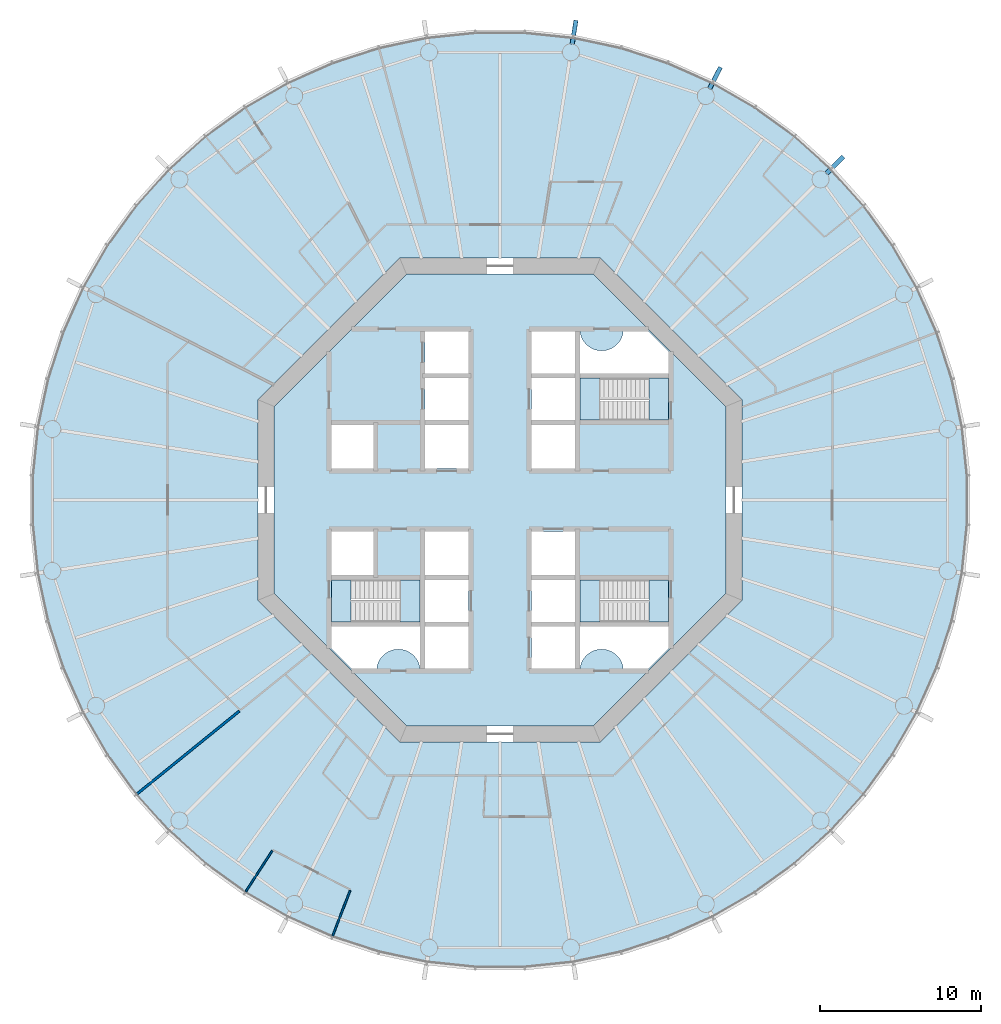
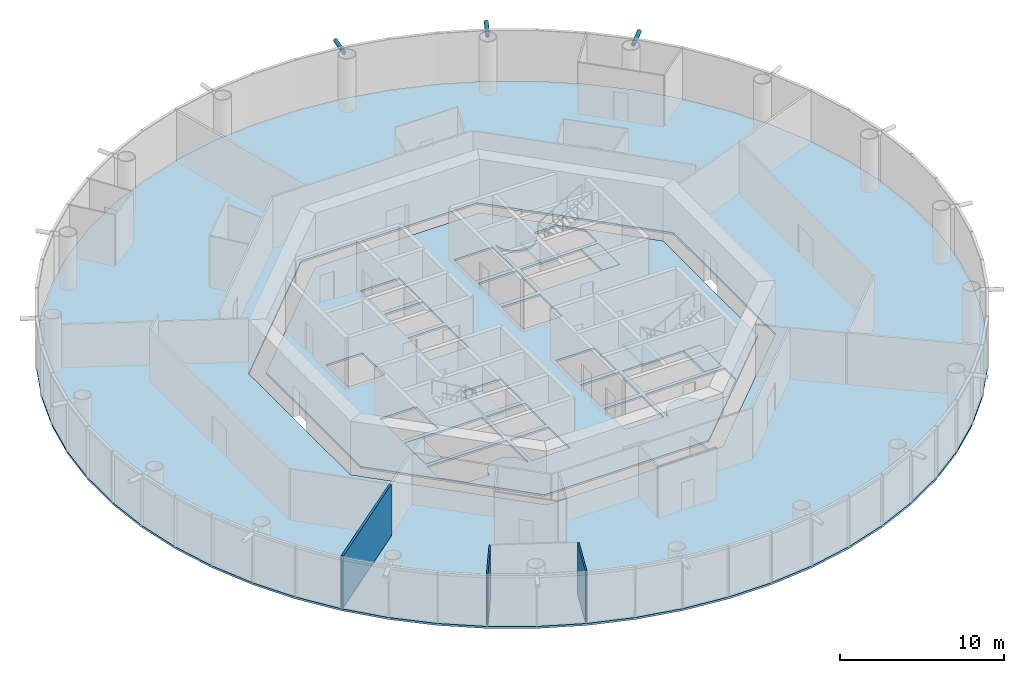
# One storey, part 2 of 12: 8 slabs, 3 members, 3 walls, 3 elements without a shape of their own.
"""IFC4 building model written with IfcOpenShell, lengths in metres."""

import ifcopenshell
import ifcopenshell.guid

model = None  # the IFC model being written
_history = None  # IfcOwnerHistory: only IFC2X3 demands one
_inside = {}  # id of a spatial element -> (the spatial element, [elements in it])
_under = {}  # id of a project, library or spatial element -> (it, [spatial elements below it])
_declared = {}  # id of a project -> (the project, [libraries it declares])
_typed = {}  # id of a type object -> (the type object, [elements of that type])
_made_of = {}  # id of a material, layer set ... -> (it, [elements and type objects made of it])


def new_model(schema):
    """Start an empty IFC model of exactly this schema.

    Asked for "IFC4X3", IfcOpenShell would pick the latest addendum, in which some entities
    have other attributes; the version numbers below select the first issue.
    IFC2X3 requires an IfcOwnerHistory on every rooted entity: one is made here for all.
    """
    global model, _history
    if schema == "IFC4X3":
        model = ifcopenshell.file(schema_version=(4, 3, 0, 0))
    else:
        model = ifcopenshell.file(schema=schema)
    _inside.clear()
    _under.clear()
    _declared.clear()
    _typed.clear()
    _made_of.clear()
    _history = None
    if model.schema == "IFC2X3":
        org = make("IfcOrganization", Name="unknown")
        user = make(
            "IfcPersonAndOrganization",
            ThePerson=make("IfcPerson", FamilyName="unknown"),
            TheOrganization=org,
        )
        app = make(
            "IfcApplication",
            ApplicationDeveloper=org,
            Version="unknown",
            ApplicationFullName="unknown",
            ApplicationIdentifier="unknown",
        )
        _history = make(
            "IfcOwnerHistory",
            OwningUser=user,
            OwningApplication=app,
            ChangeAction="ADDED",
            CreationDate=0,
        )
    return model


def make(cls, **values):
    """One entity of the class cls with the attributes given. An attribute that is None is left unset."""
    return model.create_entity(
        cls, **{name: value for name, value in values.items() if value is not None}
    )


def rooted(cls, **values):
    """An entity with a GlobalId (a new one), such as an element, a storey or a relation."""
    return make(cls, GlobalId=ifcopenshell.guid.new(), OwnerHistory=_history, **values)


def si_unit(unit_type, name, prefix=None):
    """IfcSIUnit, for example si_unit("LENGTHUNIT", "METRE", prefix="MILLI")."""
    return make("IfcSIUnit", UnitType=unit_type, Prefix=prefix, Name=name)


def assignment(units):
    """IfcUnitAssignment: the units of a project."""
    return None if units is None else make("IfcUnitAssignment", Units=units)


def point(xyz):
    """IfcCartesianPoint."""
    return None if xyz is None else make("IfcCartesianPoint", Coordinates=xyz)


def direction(xyz):
    """IfcDirection."""
    return None if xyz is None else make("IfcDirection", DirectionRatios=xyz)


def frame(location, z_axis=None, x_axis=None):
    """IfcAxis2Placement3D, a coordinate frame: its origin and axes. An axis left out is left unset."""
    return make(
        "IfcAxis2Placement3D",
        Location=point(location),
        Axis=direction(z_axis),
        RefDirection=direction(x_axis),
    )


def frame_2d(location, x_axis=None):
    """IfcAxis2Placement2D, a coordinate frame in the plane: its origin and x axis."""
    return make(
        "IfcAxis2Placement2D", Location=point(location), RefDirection=direction(x_axis)
    )


def origin():
    """The frame at (0, 0, 0) with its axes left unset."""
    return frame((0.0, 0.0, 0.0))


def origin_2d():
    """The frame at (0, 0) in the plane with its x axis left unset."""
    return frame_2d((0.0, 0.0))


def place(relative_to, where):
    """IfcLocalPlacement: puts the frame where relative to a parent placement (None: the world)."""
    return make(
        "IfcLocalPlacement", PlacementRelTo=relative_to, RelativePlacement=where
    )


def context(
    kind, dimensions, precision=None, world=None, true_north=None, identifier=None
):
    """IfcGeometricRepresentationContext, for example the 3D "Model" context."""
    return make(
        "IfcGeometricRepresentationContext",
        ContextIdentifier=identifier,
        ContextType=kind,
        CoordinateSpaceDimension=dimensions,
        Precision=precision,
        WorldCoordinateSystem=world,
        TrueNorth=true_north,
    )


def subcontext(parent, identifier, kind, view, scale=None):
    """IfcGeometricRepresentationSubContext, for example "Body" below "Model"."""
    return make(
        "IfcGeometricRepresentationSubContext",
        ContextIdentifier=identifier,
        ContextType=kind,
        ParentContext=parent,
        TargetScale=scale,
        TargetView=view,
    )


def project(units=None, contexts=None):
    """IfcProject with its units and contexts."""
    return rooted(
        "IfcProject",
        Name="project",
        RepresentationContexts=contexts,
        UnitsInContext=assignment(units),
    )


def spatial(cls, under=None, at=None, **own):
    """A site, building, storey or space (cls), placed at a placement, below another one or the project."""
    s = rooted(cls, ObjectPlacement=at, **own)
    if under is not None:
        _under.setdefault(under.id(), (under, []))[1].append(s)
    return s


def polyline(points):
    """IfcPolyline through the points."""
    return make("IfcPolyline", Points=[point(p) for p in points])


def profile(cls, at=None, kind="AREA", **sizes):
    """A parametric profile (cls). Its sizes go by their IFC names, for example OverallWidth=200.0."""
    return make(cls, ProfileType=kind, Position=at, **sizes)


def rectangle(**sizes):
    """IfcRectangleProfileDef."""
    return profile("IfcRectangleProfileDef", **sizes)


def circle(**sizes):
    """IfcCircleProfileDef."""
    return profile("IfcCircleProfileDef", **sizes)


def hollow_circle(**sizes):
    """IfcCircleHollowProfileDef."""
    return profile("IfcCircleHollowProfileDef", **sizes)


def outline(outer, holes=None, kind="AREA"):
    """IfcArbitraryClosedProfileDef: a profile drawn as a closed curve; with holes, ...WithVoids."""
    if holes is None:
        return make("IfcArbitraryClosedProfileDef", ProfileType=kind, OuterCurve=outer)
    return make(
        "IfcArbitraryProfileDefWithVoids",
        ProfileType=kind,
        OuterCurve=outer,
        InnerCurves=holes,
    )


def extrude(swept, where, along, depth):
    """IfcExtrudedAreaSolid: the profile swept, set in the frame where, extruded along a direction by depth."""
    return make(
        "IfcExtrudedAreaSolid",
        SweptArea=swept,
        Position=where,
        ExtrudedDirection=direction(along),
        Depth=depth,
    )


def shape(context_of_items, identifier, shape_type, items):
    """IfcShapeRepresentation: the items that make up one representation, for example the "Body"."""
    return make(
        "IfcShapeRepresentation",
        ContextOfItems=context_of_items,
        RepresentationIdentifier=identifier,
        RepresentationType=shape_type,
        Items=items,
    )


def material(Name=None, Category=None):
    """IfcMaterial."""
    return make("IfcMaterial", Name=Name, Category=Category)


def layer(
    of_material, thickness, ventilated=None, Name=None, Category=None, Priority=None
):
    """IfcMaterialLayer: one layer of a wall or slab, of a material (None: an air gap)."""
    return make(
        "IfcMaterialLayer",
        Material=of_material,
        LayerThickness=thickness,
        IsVentilated=ventilated,
        Name=Name,
        Category=Category,
        Priority=Priority,
    )


def layer_set(layers, Name=None):
    """IfcMaterialLayerSet."""
    return make("IfcMaterialLayerSet", MaterialLayers=layers, LayerSetName=Name)


def material_profile(
    of_material, cross_section, Name=None, Category=None, Priority=None
):
    """IfcMaterialProfile: a cross section and its material."""
    return make(
        "IfcMaterialProfile",
        Name=Name,
        Material=of_material,
        Profile=cross_section,
        Priority=Priority,
        Category=Category,
    )


def profile_set(profiles, Name=None, composite=None):
    """IfcMaterialProfileSet."""
    return make(
        "IfcMaterialProfileSet",
        Name=Name,
        MaterialProfiles=profiles,
        CompositeProfile=composite,
    )


def made_of(thing, what):
    """Note that an element or type object is made of a material, layer set ...; save() writes the relation."""
    if what is not None:
        _made_of.setdefault(what.id(), (what, []))[1].append(thing)
    return thing


def type_object(cls, material=None, **own):
    """A type object (cls), such as IfcWallType, which elements share."""
    return made_of(rooted(cls, **own), material)


def element(
    cls,
    number,
    at=None,
    inside=None,
    cuts=None,
    type_object=None,
    material=None,
    context=None,
    identifier="Body",
    shape_type=None,
    held_by="IfcProductDefinitionShape",
    body=None,
    shapes=None,
    **own,
):
    """One element of the class cls, such as IfcWall. Its Tag is "e" and its number.

    at: its placement. inside: the storey or other place that contains it. cuts: it is an
    opening in that element (IfcRelVoidsElement). A single representation is given by context,
    identifier, shape_type and body (its items); several are given by shapes. held_by: the class
    of the entity that holds the representations. save() writes the other relations.
    """
    e = rooted(cls, Tag="e%d" % number, ObjectPlacement=at, **own)
    if body is not None:
        shapes = [shape(context, identifier, shape_type, body)]
    if shapes is not None:
        e.Representation = make(held_by, Representations=shapes)
    if inside is not None:
        _inside.setdefault(inside.id(), (inside, []))[1].append(e)
    if cuts is not None:
        rooted(
            "IfcRelVoidsElement", RelatingBuildingElement=cuts, RelatedOpeningElement=e
        )
    if type_object is not None:
        _typed.setdefault(type_object.id(), (type_object, []))[1].append(e)
    return made_of(e, material)


def aggregate(whole, parts):
    """IfcRelAggregates: a whole, such as a stair, and the parts it consists of."""
    return rooted("IfcRelAggregates", RelatingObject=whole, RelatedObjects=parts)


def save(model, path):
    """Write the relations noted so far, then the file.

    IfcRelAggregates (storeys below a building ...), IfcRelContainedInSpatialStructure (elements
    in a storey), IfcRelDefinesByType, IfcRelAssociatesMaterial and IfcRelDeclares: one each for
    every whole, place, type object, material and project.
    """
    for whole, parts in _under.values():
        aggregate(whole, parts)
    for where, things in _inside.values():
        rooted(
            "IfcRelContainedInSpatialStructure",
            RelatedElements=things,
            RelatingStructure=where,
        )
    for kind, things in _typed.values():
        rooted("IfcRelDefinesByType", RelatedObjects=things, RelatingType=kind)
    for what, things in _made_of.values():
        rooted("IfcRelAssociatesMaterial", RelatedObjects=things, RelatingMaterial=what)
    for by, libraries in _declared.values():
        rooted("IfcRelDeclares", RelatingContext=by, RelatedDefinitions=libraries)
    model.write(path)


model = new_model("IFC4")

# Units and contexts
model_context = context("Model", 3, precision=1e-05, world=origin(), true_north=direction((0.0, 1.0)))
body_context = subcontext(model_context, "Body", "Model", "MODEL_VIEW")
ifc_project = project(units=[si_unit("LENGTHUNIT", "METRE"), si_unit("AREAUNIT", "SQUARE_METRE"), si_unit("VOLUMEUNIT", "CUBIC_METRE"), si_unit("PLANEANGLEUNIT", "RADIAN"), si_unit("MASSUNIT", "GRAM", prefix="KILO")], contexts=[model_context])

# Site, building, storey
site_placement = place(None, origin())
site = spatial("IfcSite", under=ifc_project, at=site_placement, CompositionType="ELEMENT")
building_placement = place(site_placement, origin())
building = spatial("IfcBuilding", under=site, at=building_placement, Name="Entoto Ring Tower", CompositionType="ELEMENT")
storey_placement = place(building_placement, frame((0.0, 0.0, 196.0)))
storey = spatial("IfcBuildingStorey", under=building, at=storey_placement, Name="L45", CompositionType="ELEMENT", Elevation=196.0)

# Members
ifc_material_1 = material(Name="Steel S355", Category="steel")
ifc_material_profile_1 = material_profile(ifc_material_1, hollow_circle(Radius=0.136474609375, WallThickness=0.012451171875, at=origin_2d()), Name="CHS 273 x 12.5")
ifc_material_2 = material(Name="Concrete C60/75", Category="concrete")
ifc_material_profile_2 = material_profile(ifc_material_2, circle(Radius=0.1240234375, at=origin_2d()), Name="Concrete C60/75 infill")
ifc_profile_set = profile_set([ifc_material_profile_1, ifc_material_profile_2], Name="Steel S355")
member_type = type_object("IfcMemberType", Name="Diagrid node strut 273 x 12.5", PredefinedType="STRUT", material=ifc_profile_set)
for number, where, z_axis, x_axis, name in (
    (1, (110.232177734375, 100.232177734375, 3.71337890625), (0.707106781187, 0.707106781187, 0.0), (-0.707106781187, 0.707106781187, 0.0), "DS2 strut ring 13 02"),
    (2, (102.989990234375, 105.494140625, 3.71337890625), (0.453898730756, 0.891053276869, 0.0), (-0.891053276869, 0.453898730756, 0.0), "DS2 strut ring 13 03"),
    (3, (94.47607421875, 108.260498046875, 3.71337890625), (0.15643459676, 0.987688319733, 0.0), (-0.987688319733, 0.15643459676, 0.0), "DS2 strut ring 13 04"),
):
    element("IfcMember", number, at=place(storey_placement, frame(where, z_axis=z_axis, x_axis=x_axis)), inside=storey, type_object=member_type, Name=name, PredefinedType="STRUT", context=body_context, shape_type="SweptSolid", body=[
        extrude(hollow_circle(Radius=0.136474609375, WallThickness=0.012451171875, at=origin_2d()), origin(), (0.0, 0.0, 1.0), 1.4873046875),
    ])

# Slabs
ifc_material_3 = material(Name="Concrete C30/37", Category="concrete")
ifc_layer_1 = layer(ifc_material_3, 0.14990234375)
ifc_layer_set_1 = layer_set([ifc_layer_1], Name="Concrete C30/37")
slab_type_1 = type_object("IfcSlabType", Name="Composite floor slab 150 mm", PredefinedType="FLOOR", material=ifc_layer_set_1)
slab_1_placement = place(storey_placement, frame((0.0, 0.0, -0.14990234375)))
element("IfcSlab", 4, at=slab_1_placement, inside=storey, type_object=slab_type_1, Name="Floor slab L45", PredefinedType="FLOOR", context=body_context, shape_type="SweptSolid", body=[
    extrude(outline(polyline([(118.74169921875, 84.55224609375), (118.1083984375, 87.53173828125), (117.167236328125, 90.428466796875), (115.92822265625, 93.211181640625), (114.4052734375, 95.848876953125), (112.614990234375, 98.313232421875), (110.576904296875, 100.576904296875), (108.313232421875, 102.614990234375), (105.848876953125, 104.4052734375), (103.211181640625, 105.92822265625), (100.428466796875, 107.167236328125), (97.53173828125, 108.1083984375), (94.55224609375, 108.74169921875), (91.52294921875, 109.06005859375), (88.47705078125, 109.06005859375), (85.44775390625, 108.74169921875), (82.46826171875, 108.1083984375), (79.571533203125, 107.167236328125), (76.788818359375, 105.92822265625), (74.151123046875, 104.4052734375), (71.686767578125, 102.614990234375), (69.423095703125, 100.576904296875), (67.385009765625, 98.313232421875), (65.5947265625, 95.848876953125), (64.07177734375, 93.211181640625), (62.832763671875, 90.428466796875), (61.8916015625, 87.53173828125), (61.25830078125, 84.55224609375), (60.93994140625, 81.52294921875), (60.93994140625, 78.47705078125), (61.25830078125, 75.44775390625), (61.8916015625, 72.46826171875), (62.832763671875, 69.571533203125), (64.07177734375, 66.788818359375), (65.5947265625, 64.151123046875), (67.385009765625, 61.686767578125), (69.423095703125, 59.423095703125), (71.686767578125, 57.385009765625), (74.151123046875, 55.5947265625), (76.788818359375, 54.07177734375), (79.571533203125, 52.832763671875), (82.46826171875, 51.8916015625), (85.44775390625, 51.25830078125), (88.47705078125, 50.93994140625), (91.52294921875, 50.93994140625), (94.55224609375, 51.25830078125), (97.53173828125, 51.8916015625), (100.428466796875, 52.832763671875), (103.211181640625, 54.07177734375), (105.848876953125, 55.5947265625), (108.313232421875, 57.385009765625), (110.576904296875, 59.423095703125), (112.614990234375, 61.686767578125), (114.4052734375, 64.151123046875), (115.92822265625, 66.788818359375), (117.167236328125, 69.571533203125), (118.1083984375, 72.46826171875), (118.74169921875, 75.44775390625), (119.06005859375, 78.47705078125), (119.06005859375, 81.52294921875), (118.74169921875, 84.55224609375)]), holes=[polyline([(105.0, 73.786865234375), (105.0, 86.213134765625), (96.213134765625, 95.0), (83.786865234375, 95.0), (75.0, 86.213134765625), (75.0, 73.786865234375), (83.786865234375, 65.0), (96.213134765625, 65.0), (105.0, 73.786865234375)])]), origin(), (0.0, 0.0, 1.0), 0.14990234375),
])
ifc_material_4 = material(Name="Concrete C40/50", Category="concrete")
ifc_layer_2 = layer(ifc_material_4, 0.14990234375)
ifc_layer_set_2 = layer_set([ifc_layer_2], Name="Concrete C40/50")
slab_type_2 = type_object("IfcSlabType", Name="Core floor slab 150 mm reinforced concrete C40/50", PredefinedType="FLOOR", material=ifc_layer_set_2)
slab_2_placement = place(storey_placement, frame((0.0, 0.0, -0.14990234375)))
element("IfcSlab", 5, at=slab_2_placement, inside=storey, type_object=slab_type_2, Name="Core floor L45", PredefinedType="FLOOR", context=body_context, shape_type="SweptSolid", body=[
    extrude(outline(polyline([(104.0, 74.200927734375), (104.0, 85.799072265625), (95.799072265625, 94.0), (84.200927734375, 94.0), (76.0, 85.799072265625), (76.0, 74.200927734375), (84.200927734375, 66.0), (95.799072265625, 66.0), (104.0, 74.200927734375)]), holes=[polyline([(100.449951171875, 84.949951171875), (100.449951171875, 87.550048828125), (94.949951171875, 87.550048828125), (94.949951171875, 84.949951171875), (100.449951171875, 84.949951171875)]), polyline([(85.050048828125, 72.449951171875), (85.050048828125, 75.050048828125), (79.550048828125, 75.050048828125), (79.550048828125, 72.449951171875), (85.050048828125, 72.449951171875)]), polyline([(100.449951171875, 72.449951171875), (100.449951171875, 75.050048828125), (94.949951171875, 75.050048828125), (94.949951171875, 72.449951171875), (100.449951171875, 72.449951171875)]), polyline([(91.949951171875, 84.949951171875), (94.64990234375, 84.949951171875), (94.64990234375, 87.550048828125), (91.949951171875, 87.550048828125), (91.949951171875, 84.949951171875)]), polyline([(91.949951171875, 72.449951171875), (94.64990234375, 72.449951171875), (94.64990234375, 75.050048828125), (91.949951171875, 75.050048828125), (91.949951171875, 72.449951171875)]), polyline([(91.949951171875, 69.550048828125), (94.64990234375, 69.550048828125), (94.64990234375, 72.14990234375), (91.949951171875, 72.14990234375), (91.949951171875, 69.550048828125)]), polyline([(85.35009765625, 72.449951171875), (88.050048828125, 72.449951171875), (88.050048828125, 75.050048828125), (85.35009765625, 75.050048828125), (85.35009765625, 72.449951171875)]), polyline([(85.35009765625, 81.949951171875), (88.050048828125, 81.949951171875), (88.050048828125, 84.64990234375), (85.35009765625, 84.64990234375), (85.35009765625, 81.949951171875)]), polyline([(91.949951171875, 75.35009765625), (94.64990234375, 75.35009765625), (94.64990234375, 78.050048828125), (91.949951171875, 78.050048828125), (91.949951171875, 75.35009765625)]), polyline([(79.550048828125, 81.949951171875), (82.14990234375, 81.949951171875), (82.14990234375, 84.64990234375), (79.550048828125, 84.64990234375), (79.550048828125, 81.949951171875)]), polyline([(79.550048828125, 75.35009765625), (82.14990234375, 75.35009765625), (82.14990234375, 78.050048828125), (79.550048828125, 78.050048828125), (79.550048828125, 75.35009765625)]), polyline([(91.949951171875, 87.85009765625), (94.64990234375, 87.85009765625), (94.64990234375, 90.449951171875), (91.949951171875, 90.449951171875), (91.949951171875, 87.85009765625)]), polyline([(85.35009765625, 69.550048828125), (88.050048828125, 69.550048828125), (88.050048828125, 72.14990234375), (85.35009765625, 72.14990234375), (85.35009765625, 69.550048828125)]), polyline([(91.949951171875, 81.949951171875), (94.64990234375, 81.949951171875), (94.64990234375, 84.64990234375), (91.949951171875, 84.64990234375), (91.949951171875, 81.949951171875)]), polyline([(85.35009765625, 75.35009765625), (88.050048828125, 75.35009765625), (88.050048828125, 78.050048828125), (85.35009765625, 78.050048828125), (85.35009765625, 75.35009765625)]), polyline([(85.35009765625, 84.949951171875), (88.050048828125, 84.949951171875), (88.050048828125, 87.550048828125), (85.35009765625, 87.550048828125), (85.35009765625, 84.949951171875)]), polyline([(85.35009765625, 87.85009765625), (88.050048828125, 87.85009765625), (88.050048828125, 90.449951171875), (85.35009765625, 90.449951171875), (85.35009765625, 87.85009765625)]), polyline([(94.89990234375, 90.5), (94.89990234375, 87.800048828125), (100.5, 87.800048828125), (100.5, 89.15771484375), (99.15771484375, 90.5), (97.64501953125, 90.5), (97.6435546875, 90.4677734375), (97.6240234375, 90.336669921875), (97.591796875, 90.2080078125), (97.547119140625, 90.08349609375), (97.490478515625, 89.963623046875), (97.422607421875, 89.85009765625), (97.343505859375, 89.74365234375), (97.254638671875, 89.6455078125), (97.156494140625, 89.556396484375), (97.050048828125, 89.4775390625), (96.936279296875, 89.409423828125), (96.816650390625, 89.352783203125), (96.69189453125, 89.30810546875), (96.5634765625, 89.27587890625), (96.432373046875, 89.256591796875), (96.300048828125, 89.25), (96.167724609375, 89.256591796875), (96.03662109375, 89.27587890625), (95.908203125, 89.30810546875), (95.783447265625, 89.352783203125), (95.66357421875, 89.409423828125), (95.550048828125, 89.4775390625), (95.443603515625, 89.556396484375), (95.345458984375, 89.6455078125), (95.25634765625, 89.74365234375), (95.177490234375, 89.85009765625), (95.109375, 89.963623046875), (95.052734375, 90.08349609375), (95.008056640625, 90.2080078125), (94.975830078125, 90.336669921875), (94.95654296875, 90.4677734375), (94.954833984375, 90.5), (94.89990234375, 90.5)]), polyline([(79.5, 70.84228515625), (80.84228515625, 69.5), (82.35498046875, 69.5), (82.3564453125, 69.5322265625), (82.3759765625, 69.663330078125), (82.408203125, 69.7919921875), (82.452880859375, 69.91650390625), (82.509521484375, 70.036376953125), (82.577392578125, 70.14990234375), (82.656494140625, 70.25634765625), (82.745361328125, 70.3544921875), (82.843505859375, 70.443603515625), (82.949951171875, 70.5224609375), (83.063720703125, 70.590576171875), (83.183349609375, 70.647216796875), (83.30810546875, 70.69189453125), (83.4365234375, 70.72412109375), (83.567626953125, 70.743408203125), (83.699951171875, 70.75), (83.832275390625, 70.743408203125), (83.96337890625, 70.72412109375), (84.091796875, 70.69189453125), (84.216552734375, 70.647216796875), (84.33642578125, 70.590576171875), (84.449951171875, 70.5224609375), (84.556396484375, 70.443603515625), (84.654541015625, 70.3544921875), (84.74365234375, 70.25634765625), (84.822509765625, 70.14990234375), (84.890625, 70.036376953125), (84.947265625, 69.91650390625), (84.991943359375, 69.7919921875), (85.024169921875, 69.663330078125), (85.04345703125, 69.5322265625), (85.045166015625, 69.5), (85.10009765625, 69.5), (85.10009765625, 72.199951171875), (79.5, 72.199951171875), (79.5, 70.84228515625)]), polyline([(97.64501953125, 69.5), (99.15771484375, 69.5), (100.5, 70.84228515625), (100.5, 72.199951171875), (94.89990234375, 72.199951171875), (94.89990234375, 69.5), (94.954833984375, 69.5), (94.95654296875, 69.5322265625), (94.975830078125, 69.663330078125), (95.008056640625, 69.7919921875), (95.052734375, 69.91650390625), (95.109375, 70.036376953125), (95.177490234375, 70.14990234375), (95.25634765625, 70.25634765625), (95.345458984375, 70.3544921875), (95.443603515625, 70.443603515625), (95.550048828125, 70.5224609375), (95.66357421875, 70.590576171875), (95.783447265625, 70.647216796875), (95.908203125, 70.69189453125), (96.03662109375, 70.72412109375), (96.167724609375, 70.743408203125), (96.300048828125, 70.75), (96.432373046875, 70.743408203125), (96.5634765625, 70.72412109375), (96.69189453125, 70.69189453125), (96.816650390625, 70.647216796875), (96.936279296875, 70.590576171875), (97.050048828125, 70.5224609375), (97.156494140625, 70.443603515625), (97.254638671875, 70.3544921875), (97.343505859375, 70.25634765625), (97.422607421875, 70.14990234375), (97.490478515625, 70.036376953125), (97.547119140625, 69.91650390625), (97.591796875, 69.7919921875), (97.6240234375, 69.663330078125), (97.6435546875, 69.5322265625), (97.64501953125, 69.5)])]), origin(), (0.0, 0.0, 1.0), 0.14990234375),
])

# Stair, slabs
ifc_material_5 = material(Name="Concrete C40/50", Category="concrete")
stair_type = type_object("IfcStairType", Name="Exit stair 1200 mm dog-leg reinforced concrete", PredefinedType="HALF_TURN_STAIR", material=ifc_material_5)
stair_1_placement = place(storey_placement, origin())
stair_1 = element("IfcStair", 6, at=stair_1_placement, inside=storey, type_object=stair_type, Name="Exit stair 1", PredefinedType="HALF_TURN_STAIR")
ifc_material_6 = material(Name="Concrete C40/50", Category="concrete")
ifc_layer_3 = layer(ifc_material_6, 0.199951171875)
ifc_layer_set_3 = layer_set([ifc_layer_3], Name="Concrete C40/50")
slab_type_3 = type_object("IfcSlabType", Name="Stair landing 200 mm reinforced concrete", PredefinedType="LANDING", material=ifc_layer_set_3)
slab_3_placement = place(storey_placement, frame((0.0, 0.0, -0.199951171875)))
slab_3 = element("IfcSlab", 7, at=slab_3_placement, type_object=slab_type_3, Name="ST1 landing 1", PredefinedType="LANDING", context=body_context, shape_type="SweptSolid", body=[
    extrude(outline(polyline([(100.449951171875, 84.949951171875), (100.449951171875, 87.550048828125), (99.25, 87.550048828125), (99.25, 84.949951171875), (100.449951171875, 84.949951171875)])), origin(), (0.0, 0.0, 1.0), 0.199951171875),
])
slab_4_placement = place(storey_placement, frame((0.0, 0.0, 1.800048828125)))
slab_4 = element("IfcSlab", 8, at=slab_4_placement, type_object=slab_type_3, Name="ST1 landing 2", PredefinedType="LANDING", context=body_context, shape_type="SweptSolid", body=[
    extrude(outline(polyline([(94.949951171875, 84.949951171875), (96.169921875, 84.949951171875), (96.169921875, 87.550048828125), (94.949951171875, 87.550048828125), (94.949951171875, 84.949951171875)])), origin(), (0.0, 0.0, 1.0), 0.199951171875),
])
aggregate(stair_1, [slab_3, slab_4])

stair_2_placement = place(storey_placement, origin())
stair_2 = element("IfcStair", 9, at=stair_2_placement, inside=storey, type_object=stair_type, Name="Exit stair 2", PredefinedType="HALF_TURN_STAIR")
slab_5_placement = place(storey_placement, frame((0.0, 0.0, -0.199951171875)))
slab_5 = element("IfcSlab", 10, at=slab_5_placement, type_object=slab_type_3, Name="ST2 landing 1", PredefinedType="LANDING", context=body_context, shape_type="SweptSolid", body=[
    extrude(outline(polyline([(80.75, 72.449951171875), (80.75, 75.050048828125), (79.550048828125, 75.050048828125), (79.550048828125, 72.449951171875), (80.75, 72.449951171875)])), origin(), (0.0, 0.0, 1.0), 0.199951171875),
])
slab_6_placement = place(storey_placement, frame((0.0, 0.0, 1.800048828125)))
slab_6 = element("IfcSlab", 11, at=slab_6_placement, type_object=slab_type_3, Name="ST2 landing 2", PredefinedType="LANDING", context=body_context, shape_type="SweptSolid", body=[
    extrude(outline(polyline([(83.830078125, 72.449951171875), (85.050048828125, 72.449951171875), (85.050048828125, 75.050048828125), (83.830078125, 75.050048828125), (83.830078125, 72.449951171875)])), origin(), (0.0, 0.0, 1.0), 0.199951171875),
])
aggregate(stair_2, [slab_5, slab_6])

stair_3_placement = place(storey_placement, origin())
stair_3 = element("IfcStair", 12, at=stair_3_placement, inside=storey, type_object=stair_type, Name="Exit stair 3", PredefinedType="HALF_TURN_STAIR")
slab_7_placement = place(storey_placement, frame((0.0, 0.0, -0.199951171875)))
slab_7 = element("IfcSlab", 13, at=slab_7_placement, type_object=slab_type_3, Name="ST3 landing 1", PredefinedType="LANDING", context=body_context, shape_type="SweptSolid", body=[
    extrude(outline(polyline([(100.449951171875, 72.449951171875), (100.449951171875, 75.050048828125), (99.25, 75.050048828125), (99.25, 72.449951171875), (100.449951171875, 72.449951171875)])), origin(), (0.0, 0.0, 1.0), 0.199951171875),
])
slab_8_placement = place(storey_placement, frame((0.0, 0.0, 1.800048828125)))
slab_8 = element("IfcSlab", 14, at=slab_8_placement, type_object=slab_type_3, Name="ST3 landing 2", PredefinedType="LANDING", context=body_context, shape_type="SweptSolid", body=[
    extrude(outline(polyline([(94.949951171875, 72.449951171875), (96.169921875, 72.449951171875), (96.169921875, 75.050048828125), (94.949951171875, 75.050048828125), (94.949951171875, 72.449951171875)])), origin(), (0.0, 0.0, 1.0), 0.199951171875),
])
aggregate(stair_3, [slab_7, slab_8])

# Walls
ifc_material_7 = material(Name="Plasterboard on steel studs", Category="steel")
ifc_layer_4 = layer(ifc_material_7, 0.10009765625)
ifc_layer_set_4 = layer_set([ifc_layer_4], Name="Plasterboard on steel studs")
wall_type_1 = type_object("IfcWallType", Name="Partition 100 mm plasterboard on steel studs", PredefinedType="PARTITIONING", material=ifc_layer_set_4)
for number, where, z_axis, x_axis, name in (
    (15, (79.62890625, 52.982177734375, 0.0), (0.0, 0.0, 1.0), (0.358323593477, 0.933597451988, 0.0), "partition-L45-029"),
    (16, (74.238037109375, 55.72900390625, 0.0), (0.0, 0.0, 1.0), (0.544661562451, 0.838655938027, 0.0), "partition-L45-030"),
):
    element("IfcWall", number, at=place(storey_placement, frame(where, z_axis=z_axis, x_axis=x_axis)), inside=storey, type_object=wall_type_1, Name=name, PredefinedType="PARTITIONING", context=body_context, shape_type="SweptSolid", body=[
        extrude(rectangle(XDim=3.020263671875, YDim=0.10009765625, at=frame_2d((1.51025390625, 0.0))), origin(), (0.0, 0.0, 1.0), 3.85009765625),
    ])
ifc_material_8 = material(Name="Fire-resisting acoustic plasterboard on steel studs", Category="steel")
ifc_layer_5 = layer(ifc_material_8, 0.14990234375)
ifc_layer_set_5 = layer_set([ifc_layer_5], Name="Fire-resisting acoustic plasterboard on steel studs")
wall_type_2 = type_object("IfcWallType", Name="Party wall 150 mm one-hour acoustic plasterboard on steel studs", PredefinedType="PARTITIONING", material=ifc_layer_set_5)
wall_placement = place(storey_placement, frame((67.509521484375, 61.78759765625, 0.0), z_axis=(0.0, 0.0, 1.0), x_axis=(0.777143081467, 0.629323947524, 0.0)))
element("IfcWall", 17, at=wall_placement, inside=storey, type_object=wall_type_2, Name="partition-L45-018", PredefinedType="PARTITIONING", context=body_context, shape_type="SweptSolid", body=[
    extrude(rectangle(XDim=8.15576171875, YDim=0.14990234375, at=frame_2d((4.077880859375, 0.0))), origin(), (0.0, 0.0, 1.0), 3.85009765625),
])

save(model, "model.ifc")
